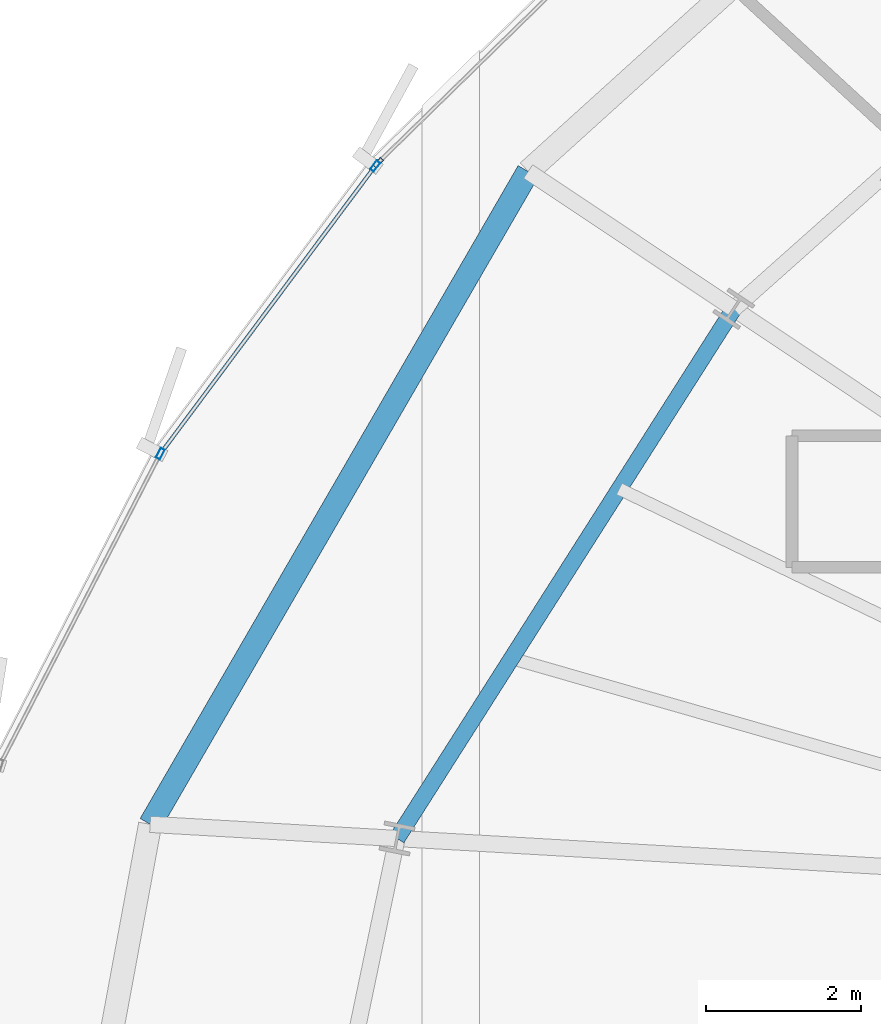
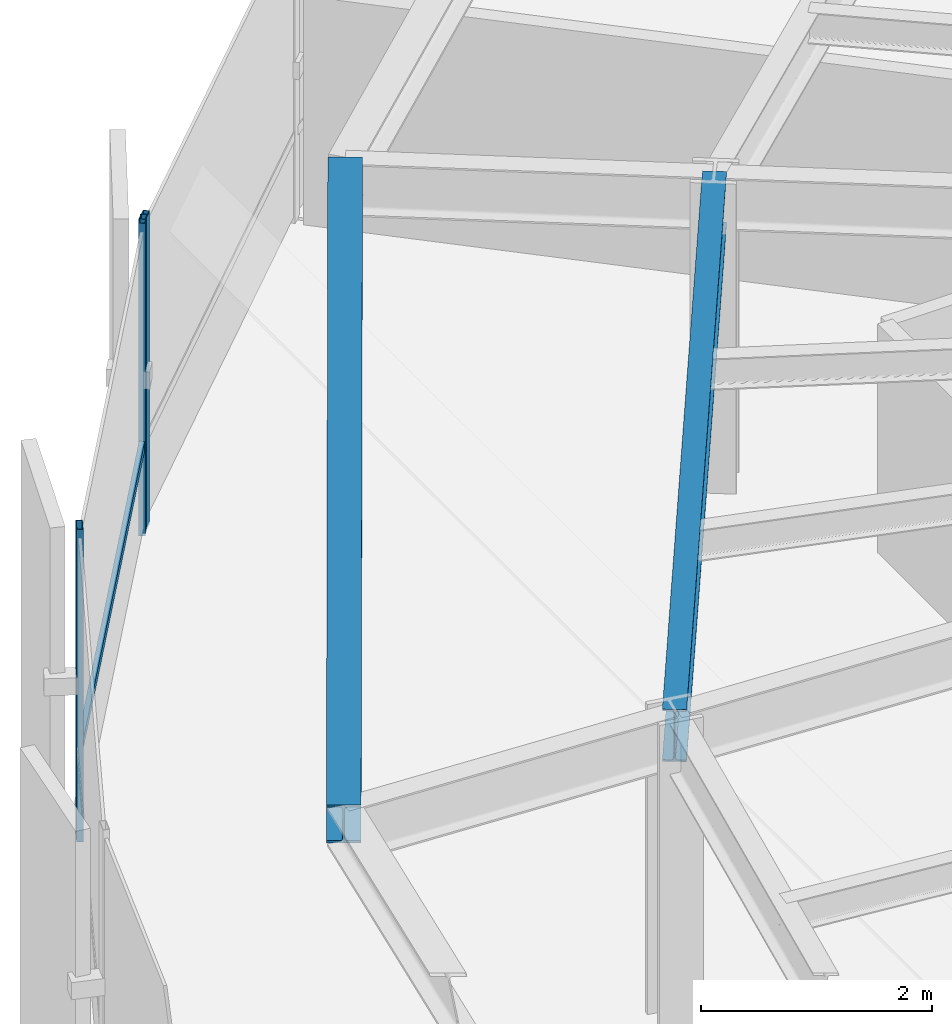
# One storey, part 16 of 34: 4 members, 2 beams, 2 elements without a shape of their own.
"""IFC4 building model written with IfcOpenShell, lengths in metres."""

from ifc_helpers import new_model, si_unit, direction, frame, origin, origin_2d, place, context, subcontext, project, spatial, hollow_rectangle, i_section, extrude, source, transform, mapped, material, layer, layer_set, material_profile, profile_set, type_object, element, aggregate, save


model = new_model("IFC4")

# Units and contexts
model_context = context("Model", 3, precision=1e-05, world=origin(), true_north=direction((0.0, 1.0)))
body_context = subcontext(model_context, "Body", "Model", "MODEL_VIEW")
ifc_project = project(units=[si_unit("LENGTHUNIT", "METRE"), si_unit("AREAUNIT", "SQUARE_METRE"), si_unit("VOLUMEUNIT", "CUBIC_METRE"), si_unit("PLANEANGLEUNIT", "RADIAN"), si_unit("MASSUNIT", "GRAM", prefix="KILO"), si_unit("THERMODYNAMICTEMPERATUREUNIT", "KELVIN")], contexts=[model_context])

# Site, building, storey
site_placement = place(None, origin())
site = spatial("IfcSite", under=ifc_project, at=site_placement, CompositionType="ELEMENT")
building_placement = place(site_placement, origin())
building = spatial("IfcBuilding", under=site, at=building_placement, Name="Kethvar Cultural Tower", CompositionType="ELEMENT")
storey_placement = place(building_placement, frame((0.0, 0.0, 128.800048828125)))
storey = spatial("IfcBuildingStorey", under=building, at=storey_placement, Name="L32", CompositionType="ELEMENT", Elevation=128.800048828125)

# Beams
ifc_material_1 = material(Name="Steel S355J2", Category="steel")
ifc_material_profile_1 = material_profile(ifc_material_1, i_section(OverallWidth=0.2099609375, OverallDepth=0.550048828125, WebThickness=0.010986328125, FlangeThickness=0.01708984375, FilletRadius=0.02392578125, at=origin_2d()), Name="Steel S355J2 — IPE550")
ifc_profile_set_1 = profile_set([ifc_material_profile_1], Name="Steel S355J2 — IPE550")
beam_type_1 = type_object("IfcBeamType", Name="BM-IPE550", PredefinedType="BEAM", material=ifc_profile_set_1)
shared_shape_1 = source(origin(), body_context, "Body", "SweptSolid", [
    extrude(i_section(OverallWidth=0.2099609375, OverallDepth=0.550048828125, WebThickness=0.010986328125, FlangeThickness=0.01708984375, FilletRadius=0.02392578125, at=origin_2d()), origin(), (0.0, 0.0, 1.0), 8.122314453125),
])
beam_1_placement = place(storey_placement, frame((30.345947265625, 38.794189453125, 3.02294921875), z_axis=(-0.536478664647, -0.843913883272, 0.0), x_axis=(0.843913883272, -0.536478664647, 0.0)))
element("IfcBeam", 1, at=beam_1_placement, inside=storey, type_object=beam_type_1, Name="L32 Column Ring Tie Beam CR-07", PredefinedType="BEAM", context=body_context, shape_type="MappedRepresentation", body=[
    mapped(shared_shape_1, transform((0.0, 0.0, 0.0), scale=1.0)),
])
ifc_material_profile_2 = material_profile(ifc_material_1, i_section(OverallWidth=0.300048828125, OverallDepth=0.39990234375, WebThickness=0.013427734375, FlangeThickness=0.02392578125, FilletRadius=0.027099609375, at=origin_2d()), Name="Steel S355J2 — HEB400")
ifc_profile_set_2 = profile_set([ifc_material_profile_2], Name="Steel S355J2 — HEB400")
beam_type_2 = type_object("IfcBeamType", Name="BM-SP400", PredefinedType="SPANDREL", material=ifc_profile_set_2)
shared_shape_2 = source(origin(), body_context, "Body", "SweptSolid", [
    extrude(i_section(OverallWidth=0.300048828125, OverallDepth=0.39990234375, WebThickness=0.013427734375, FlangeThickness=0.02392578125, FilletRadius=0.027099609375, at=origin_2d()), origin(), (0.0, 0.0, 1.0), 9.762939453125),
])
beam_2_placement = place(storey_placement, frame((27.685302734375, 40.572021484375, 3.097900390625), z_axis=(-0.501043170838, -0.865422290536, 0.0), x_axis=(0.865422290536, -0.501043170838, 0.0)))
element("IfcBeam", 2, at=beam_2_placement, inside=storey, type_object=beam_type_2, Name="L32 Perimeter Spandrel Beam SP-07", PredefinedType="SPANDREL", context=body_context, shape_type="MappedRepresentation", body=[
    mapped(shared_shape_2, transform((0.0, 0.0, 0.0), scale=1.0)),
])

# Curtain wall, member
ifc_material_2 = material(Name="Aluminium 6063-T6", Category="aluminium")
ifc_layer = layer(ifc_material_2, 0.179931640625, Name="Aluminium 6063-T6", Category="aluminium")
ifc_layer_set = layer_set([ifc_layer], Name="Aluminium 6063-T6 (180 mm)")
curtain_wall_type = type_object("IfcCurtainWallType", Name="CW-SYS-04-Z34", PredefinedType="NOTDEFINED", material=ifc_layer_set)
curtain_wall_1_placement = place(storey_placement, origin())
curtain_wall_1 = element("IfcCurtainWall", 3, at=curtain_wall_1_placement, inside=storey, type_object=curtain_wall_type, Name="L32 Curtain Wall Run 02", PredefinedType="NOTDEFINED")
ifc_material_profile_3 = material_profile(ifc_material_2, hollow_rectangle(XDim=0.06005859375, YDim=0.139892578125, WallThickness=0.0048828125, at=origin_2d()), Name="Aluminium 6063-T6 — RHS140x60x5")
ifc_profile_set_3 = profile_set([ifc_material_profile_3], Name="Aluminium 6063-T6 — RHS140x60x5")
member_type_1 = type_object("IfcMemberType", Name="CW-SYS-04-Z34-MUL", PredefinedType="MULLION", material=ifc_profile_set_3)
shared_shape_3 = source(origin(), body_context, "Body", "SweptSolid", [
    extrude(hollow_rectangle(XDim=0.06005859375, YDim=0.139892578125, WallThickness=0.0048828125, at=origin_2d()), origin(), (0.0, 0.0, 1.0), 3.300048828125),
])
member_1_placement = place(storey_placement, frame((25.745361328125, 40.6865234375, 0.0), z_axis=(0.0, 0.0, 1.0), x_axis=(0.698677553601, -0.715436703066, 0.0)))
member_1 = element("IfcMember", 4, at=member_1_placement, type_object=member_type_1, Name="CW-L32-R02 Mullion 7", PredefinedType="MULLION", context=body_context, shape_type="MappedRepresentation", body=[
    mapped(shared_shape_3, transform((0.0, 0.0, 0.0), scale=1.0)),
])
aggregate(curtain_wall_1, [member_1])

# Curtain wall, members
curtain_wall_2_placement = place(storey_placement, origin())
curtain_wall_2 = element("IfcCurtainWall", 5, at=curtain_wall_2_placement, inside=storey, type_object=curtain_wall_type, Name="L32 Curtain Wall Run 03", PredefinedType="NOTDEFINED")
member_2_placement = place(storey_placement, frame((25.705322265625, 40.640869140625, 0.0), z_axis=(0.0, 0.0, 1.0), x_axis=(0.801316464703, -0.598240690187, 0.0)))
member_2 = element("IfcMember", 6, at=member_2_placement, type_object=member_type_1, Name="CW-L32-R03 Mullion 1", PredefinedType="MULLION", context=body_context, shape_type="MappedRepresentation", body=[
    mapped(shared_shape_3, transform((0.0, 0.0, 0.0), scale=1.0)),
])
member_3_placement = place(storey_placement, frame((22.925048828125, 36.91943359375, 0.0), z_axis=(0.0, 0.0, 1.0), x_axis=(0.888977181064, -0.457951494755, 0.0)))
member_3 = element("IfcMember", 7, at=member_3_placement, type_object=member_type_1, Name="CW-L32-R03 Mullion 2", PredefinedType="MULLION", context=body_context, shape_type="MappedRepresentation", body=[
    mapped(shared_shape_3, transform((0.0, 0.0, 0.0), scale=1.0)),
])
ifc_material_profile_4 = material_profile(ifc_material_2, hollow_rectangle(XDim=0.050048828125, YDim=0.10009765625, WallThickness=0.00390625, at=origin_2d()), Name="Aluminium 6063-T6 — RHS100x50x4")
ifc_profile_set_4 = profile_set([ifc_material_profile_4], Name="Aluminium 6063-T6 — RHS100x50x4")
member_type_2 = type_object("IfcMemberType", Name="CW-SYS-04-Z34-TRN", PredefinedType="USERDEFINED", material=ifc_profile_set_4)
shared_shape_4 = source(origin(), body_context, "Body", "SweptSolid", [
    extrude(hollow_rectangle(XDim=0.050048828125, YDim=0.10009765625, WallThickness=0.00390625, at=origin_2d()), origin(), (0.0, 0.0, 1.0), 4.615966796875),
])
member_4_placement = place(storey_placement, frame((25.702880859375, 40.6376953125, 0.949951171875), z_axis=(-0.598229918376, -0.801324506526, 0.0), x_axis=(0.801324506526, -0.598229918376, 0.0)))
member_4 = element("IfcMember", 8, at=member_4_placement, type_object=member_type_2, Name="CW-L32-R03 Transom 1", ObjectType="TRANSOM", PredefinedType="USERDEFINED", context=body_context, shape_type="MappedRepresentation", body=[
    mapped(shared_shape_4, transform((0.0, 0.0, 0.0), scale=1.0)),
])
aggregate(curtain_wall_2, [member_2, member_3, member_4])

save(model, "model.ifc")
